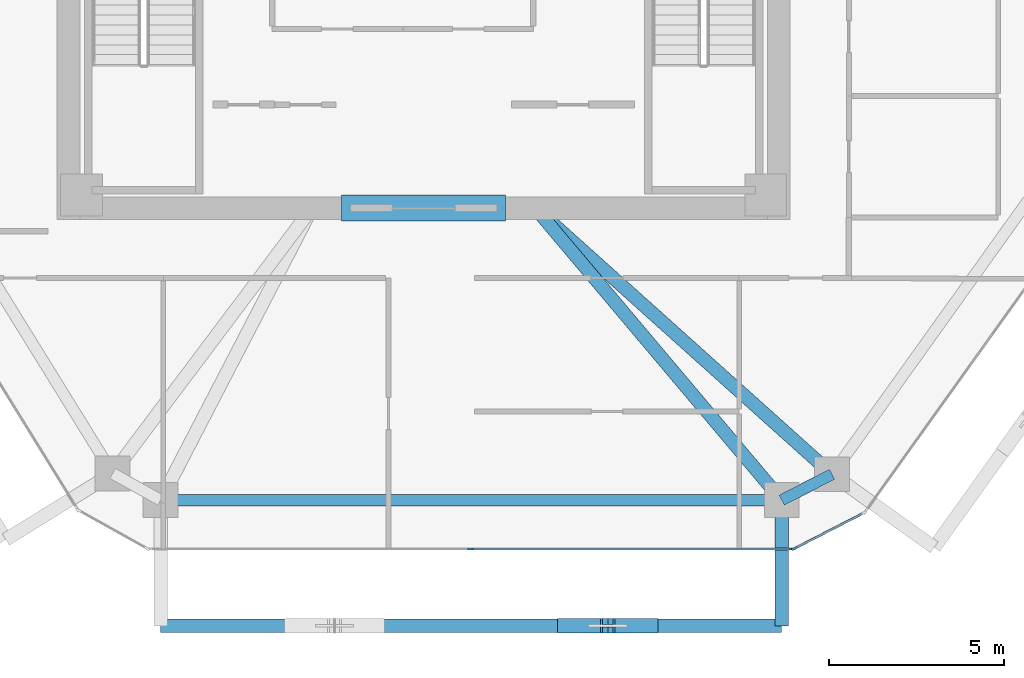
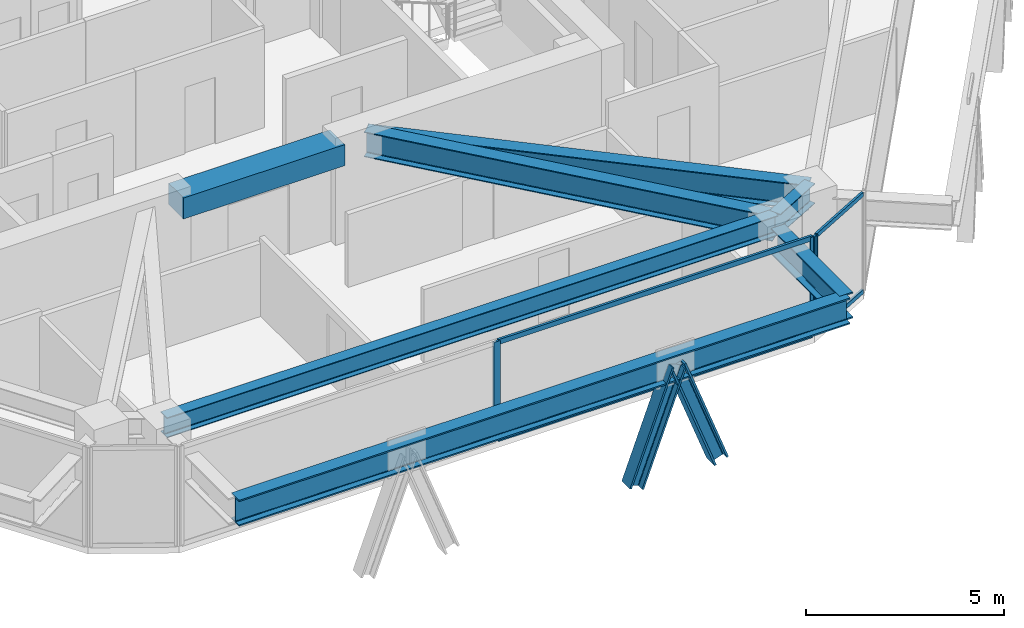
# One storey, part 3 of 14: 9 members, 7 beams, 2 elements without a shape of their own.
"""IFC4 building model written with IfcOpenShell, lengths in metres."""

from ifc_helpers import new_model, si_unit, direction, frame, origin, origin_2d, place, context, subcontext, project, spatial, rectangle, i_section, extrude, source, transform, mapped, material, layer, layer_set, material_profile, profile_set, type_object, type_shapes, element, aggregate, save


model = new_model("IFC4")

# Units and contexts
model_context = context("Model", 3, precision=1e-05, world=origin(), true_north=direction((0.0, 1.0)))
body_context = subcontext(model_context, "Body", "Model", "MODEL_VIEW")
ifc_project = project(units=[si_unit("LENGTHUNIT", "METRE"), si_unit("AREAUNIT", "SQUARE_METRE"), si_unit("VOLUMEUNIT", "CUBIC_METRE"), si_unit("PLANEANGLEUNIT", "RADIAN"), si_unit("MASSUNIT", "GRAM", prefix="KILO")], contexts=[model_context])

# Site, building, storey
site_placement = place(None, origin())
site = spatial("IfcSite", under=ifc_project, at=site_placement, CompositionType="ELEMENT")
building_placement = place(site_placement, origin())
building = spatial("IfcBuilding", under=site, at=building_placement, Name="Durnholm Broadcast Tower", CompositionType="ELEMENT")
storey_placement = place(building_placement, frame((0.0, 0.0, 193.60009765625)))
storey = spatial("IfcBuildingStorey", under=building, at=storey_placement, Name="L53", CompositionType="ELEMENT", Elevation=193.60009765625)

# Beams
ifc_material_1 = material(Name="Concrete C70/85", Category="concrete")
ifc_material_profile_1 = material_profile(ifc_material_1, rectangle(XDim=0.75, YDim=0.64990234375, at=origin_2d()), Name="RC750X650")
ifc_profile_set_1 = profile_set([ifc_material_profile_1], Name="Concrete C70/85")
beam_type_1 = type_object("IfcBeamType", Name="BM-CB-RC650", PredefinedType="LINTEL", material=ifc_profile_set_1)
shared_shape_1 = source(origin(), body_context, "Body", "SweptSolid", [
    extrude(rectangle(XDim=0.75, YDim=0.64990234375, at=origin_2d()), origin(), (0.0, 0.0, 1.0), 4.7001953125),
])
type_shapes(beam_type_1, [shared_shape_1])
beam_1_placement = place(storey_placement, frame((-2.35009765625, -8.175048828125, 2.72998046875), z_axis=(1.0, 0.0, 0.0), x_axis=(0.0, 1.0, 0.0)))
element("IfcBeam", 1, at=beam_1_placement, inside=storey, type_object=beam_type_1, Name="L53 south core coupling lintel beam CB-S", PredefinedType="LINTEL", context=body_context, shape_type="MappedRepresentation", body=[
    mapped(shared_shape_1, transform((0.0, 0.0, 0.0), x_axis=(1.0, 0.0, 0.0), y_axis=(0.0, 1.0, 0.0), z_axis=(0.0, 0.0, 1.0), scale=1.0)),
])
ifc_material_2 = material(Name="Steel ASTM A992 Grade 50", Category="steel")
ifc_material_profile_2 = material_profile(ifc_material_2, i_section(OverallWidth=0.385009765625, OverallDepth=0.802978515625, WebThickness=0.023681640625, FlangeThickness=0.0419921875, FilletRadius=0.032958984375, at=origin_2d()), Name="W30X261")
ifc_profile_set_2 = profile_set([ifc_material_profile_2], Name="Steel ASTM A992 Grade 50")
beam_type_2 = type_object("IfcBeamType", Name="BM-EXO-TIE", PredefinedType="USERDEFINED", material=ifc_profile_set_2)
shared_shape_2 = source(origin(), body_context, "Body", "SweptSolid", [
    extrude(i_section(OverallWidth=0.385009765625, OverallDepth=0.802978515625, WebThickness=0.023681640625, FlangeThickness=0.0419921875, FilletRadius=0.032958984375, at=origin_2d()), origin(), (0.0, 0.0, 1.0), 3.4560546875),
])
beam_2_placement = place(storey_placement, frame((10.256591796875, -16.68603515625, 2.308349609375), z_axis=(0.0, -1.0, 0.0), x_axis=(1.0, 0.0, 0.0)))
element("IfcBeam", 2, at=beam_2_placement, inside=storey, type_object=beam_type_2, Name="L53 exoskeleton stand-off tie bracket F1.2", ObjectType="GIRDER", PredefinedType="USERDEFINED", context=body_context, shape_type="MappedRepresentation", body=[
    mapped(shared_shape_2, transform((0.0, 0.0, 0.0), x_axis=(1.0, 0.0, 0.0), y_axis=(0.0, 1.0, 0.0), z_axis=(0.0, 0.0, 1.0), scale=1.0)),
])
ifc_material_profile_3 = material_profile(ifc_material_2, i_section(OverallWidth=0.3251953125, OverallDepth=0.6162109375, WebThickness=0.013916015625, FlangeThickness=0.021484375, FilletRadius=0.02783203125, at=origin_2d()), Name="W24X117")
ifc_profile_set_3 = profile_set([ifc_material_profile_3], Name="Steel ASTM A992 Grade 50")
beam_type_3 = type_object("IfcBeamType", Name="STL-SP-W24X117", PredefinedType="SPANDREL", material=ifc_profile_set_3)
shared_shape_3 = source(origin(), body_context, "Body", "SweptSolid", [
    extrude(i_section(OverallWidth=0.3251953125, OverallDepth=0.6162109375, WebThickness=0.013916015625, FlangeThickness=0.021484375, FilletRadius=0.02783203125, at=origin_2d()), origin(), (0.0, 0.0, 1.0), 1.62255859375),
])
beam_3_placement = place(storey_placement, frame((11.69970703125, -15.80029296875, 2.73681640625), z_axis=(-0.889406668864, -0.45711680934, 0.0), x_axis=(0.45711680934, -0.889406668864, 0.0)))
element("IfcBeam", 3, at=beam_3_placement, inside=storey, type_object=beam_type_3, Name="L53 perimeter spandrel girder 10", PredefinedType="SPANDREL", context=body_context, shape_type="MappedRepresentation", body=[
    mapped(shared_shape_3, transform((0.0, 0.0, 0.0), x_axis=(1.0, 0.0, 0.0), y_axis=(0.0, 1.0, 0.0), z_axis=(0.0, 0.0, 1.0), scale=1.0)),
])
shared_shape_4 = source(origin(), body_context, "Body", "SweptSolid", [
    extrude(i_section(OverallWidth=0.3251953125, OverallDepth=0.6162109375, WebThickness=0.013916015625, FlangeThickness=0.021484375, FilletRadius=0.02783203125, at=origin_2d()), origin(), (0.0, 0.0, 1.0), 17.796142578125),
])
type_shapes(beam_type_3, [shared_shape_3, shared_shape_4])
beam_4_placement = place(storey_placement, frame((10.256591796875, -16.5419921875, 2.73681640625), z_axis=(-1.0, 0.0, 0.0), x_axis=(0.0, -1.0, 0.0)))
element("IfcBeam", 4, at=beam_4_placement, inside=storey, type_object=beam_type_3, Name="L53 perimeter spandrel girder 11", PredefinedType="SPANDREL", context=body_context, shape_type="MappedRepresentation", body=[
    mapped(shared_shape_4, transform((0.0, 0.0, 0.0), x_axis=(1.0, 0.0, 0.0), y_axis=(0.0, 1.0, 0.0), z_axis=(0.0, 0.0, 1.0), scale=1.0)),
])
shared_shape_5 = source(origin(), body_context, "Body", "SweptSolid", [
    extrude(i_section(OverallWidth=0.385009765625, OverallDepth=0.802978515625, WebThickness=0.023681640625, FlangeThickness=0.0419921875, FilletRadius=0.032958984375, at=origin_2d()), origin(), (0.0, 0.0, 1.0), 17.796142578125),
])
type_shapes(beam_type_2, [shared_shape_2, shared_shape_5])
beam_5_placement = place(storey_placement, frame((-7.53955078125, -20.14208984375, 2.308349609375), z_axis=(1.0, 0.0, 0.0), x_axis=(0.0, 1.0, 0.0)))
element("IfcBeam", 5, at=beam_5_placement, inside=storey, type_object=beam_type_2, Name="L53 exoskeleton collector spandrel F1", PredefinedType="SPANDREL", context=body_context, shape_type="MappedRepresentation", body=[
    mapped(shared_shape_5, transform((0.0, 0.0, 0.0), x_axis=(1.0, 0.0, 0.0), y_axis=(0.0, 1.0, 0.0), z_axis=(0.0, 0.0, 1.0), scale=1.0)),
])
ifc_material_profile_4 = material_profile(ifc_material_2, i_section(OverallWidth=0.380615234375, OverallDepth=0.773193359375, WebThickness=0.0166015625, FlangeThickness=0.027099609375, FilletRadius=0.032958984375, at=origin_2d()), Name="W30X173")
ifc_profile_set_4 = profile_set([ifc_material_profile_4], Name="Steel ASTM A992 Grade 50")
beam_type_4 = type_object("IfcBeamType", Name="STL-GR-W30X173", PredefinedType="USERDEFINED", material=ifc_profile_set_4)
shared_shape_6 = source(origin(), body_context, "Body", "SweptSolid", [
    extrude(i_section(OverallWidth=0.380615234375, OverallDepth=0.773193359375, WebThickness=0.0166015625, FlangeThickness=0.027099609375, FilletRadius=0.032958984375, at=origin_2d()), origin(), (0.0, 0.0, 1.0), 11.4189453125),
])
beam_6_placement = place(storey_placement, frame((3.199951171875, -8.175048828125, 2.658203125), z_axis=(0.744361631918, -0.667776729849, 0.0), x_axis=(0.667776729849, 0.744361631918, 0.0)))
element("IfcBeam", 6, at=beam_6_placement, inside=storey, type_object=beam_type_4, Name="L53 radial primary floor girder 10", ObjectType="GIRDER", PredefinedType="USERDEFINED", context=body_context, shape_type="MappedRepresentation", body=[
    mapped(shared_shape_6, transform((0.0, 0.0, 0.0), x_axis=(1.0, 0.0, 0.0), y_axis=(0.0, 1.0, 0.0), z_axis=(0.0, 0.0, 1.0), scale=1.0)),
])
shared_shape_7 = source(origin(), body_context, "Body", "SweptSolid", [
    extrude(i_section(OverallWidth=0.380615234375, OverallDepth=0.773193359375, WebThickness=0.0166015625, FlangeThickness=0.027099609375, FilletRadius=0.032958984375, at=origin_2d()), origin(), (0.0, 0.0, 1.0), 10.9453125),
])
type_shapes(beam_type_4, [shared_shape_6, shared_shape_7])
beam_7_placement = place(storey_placement, frame((3.199951171875, -8.175048828125, 2.658203125), z_axis=(0.644712536066, -0.764425108065, 0.0), x_axis=(0.764425108065, 0.644712536066, 0.0)))
element("IfcBeam", 7, at=beam_7_placement, inside=storey, type_object=beam_type_4, Name="L53 radial primary floor girder 11", ObjectType="GIRDER", PredefinedType="USERDEFINED", context=body_context, shape_type="MappedRepresentation", body=[
    mapped(shared_shape_7, transform((0.0, 0.0, 0.0), x_axis=(1.0, 0.0, 0.0), y_axis=(0.0, 1.0, 0.0), z_axis=(0.0, 0.0, 1.0), scale=1.0)),
])

# Members
ifc_material_3 = material(Name="Steel ASTM A913 Grade 65", Category="steel")
ifc_material_profile_5 = material_profile(ifc_material_3, i_section(OverallWidth=0.412109375, OverallDepth=0.434814453125, WebThickness=0.035888671875, FlangeThickness=0.057373046875, FilletRadius=0.030517578125, at=origin_2d()), Name="W14X311")
ifc_profile_set_5 = profile_set([ifc_material_profile_5], Name="Steel ASTM A913 Grade 65")
member_type_1 = type_object("IfcMemberType", Name="STL-DG-W14X311", PredefinedType="BRACE", material=ifc_profile_set_5)
shared_shape_8 = source(origin(), body_context, "Body", "SweptSolid", [
    extrude(i_section(OverallWidth=0.412109375, OverallDepth=0.434814453125, WebThickness=0.035888671875, FlangeThickness=0.057373046875, FilletRadius=0.030517578125, at=origin_2d()), origin(), (0.0, 0.0, 1.0), 3.52294921875),
])
type_shapes(member_type_1, [shared_shape_8])
for number, where, z_axis, x_axis, name in (
    (8, (4.039794921875, -20.14208984375, -0.991455078125), (0.350242321485, 0.0, 0.93665912489), (0.0, 1.0, 0.0), "L53 stand-off diagrid brace F1.D2.1"),
    (9, (6.507568359375, -20.14208984375, -0.991455078125), (-0.350242321485, 0.0, 0.93665912489), (0.0, -1.0, 0.0), "L53 stand-off diagrid brace F1.D2.2"),
):
    element("IfcMember", number, at=place(storey_placement, frame(where, z_axis=z_axis, x_axis=x_axis)), inside=storey, type_object=member_type_1, Name=name, PredefinedType="BRACE", context=body_context, shape_type="MappedRepresentation", body=[
        mapped(shared_shape_8, transform((0.0, 0.0, 0.0), x_axis=(1.0, 0.0, 0.0), y_axis=(0.0, 1.0, 0.0), z_axis=(0.0, 0.0, 1.0), scale=1.0)),
    ])

# Curtain wall, members
ifc_material_4 = material(Name="Aluminium and Solar Control IGU", Category="aluminium")
ifc_layer_1 = layer(ifc_material_4, 0.1650390625)
ifc_layer_set_1 = layer_set([ifc_layer_1], Name="Aluminium and Solar Control IGU")
curtain_wall_type_1 = type_object("IfcCurtainWallType", Name="CW-SYS-5", PredefinedType="NOTDEFINED", material=ifc_layer_set_1)
curtain_wall_1_placement = place(storey_placement, origin())
curtain_wall_1 = element("IfcCurtainWall", 10, at=curtain_wall_1_placement, inside=storey, type_object=curtain_wall_type_1, Name="L53 curtain wall CW-CORNER CW-L53-CRN-09", PredefinedType="NOTDEFINED")
ifc_material_5 = material(Name="Aluminium 6063-T6", Category="aluminium")
ifc_material_profile_6 = material_profile(ifc_material_5, rectangle(XDim=0.06494140625, YDim=0.1650390625, at=origin_2d()), Name="CWM65X165")
ifc_profile_set_6 = profile_set([ifc_material_profile_6], Name="Aluminium 6063-T6")
member_type_2 = type_object("IfcMemberType", Name="CW-SYS-5-MUL", PredefinedType="MULLION", material=ifc_profile_set_6)
shared_shape_9 = source(origin(), body_context, "Body", "SweptSolid", [
    extrude(rectangle(XDim=0.06494140625, YDim=0.1650390625, at=origin_2d()), origin(), (0.0, 0.0, 1.0), 3.059814453125),
])
type_shapes(member_type_2, [shared_shape_9])
member_1_placement = place(storey_placement, frame((10.624267578125, -17.92724609375, 0.0), z_axis=(0.0, 0.0, 1.0), x_axis=(0.457081764476, -0.889424679545, 0.0)))
member_1 = element("IfcMember", 11, at=member_1_placement, type_object=member_type_2, Name="CW-CORNER mullion 2", PredefinedType="MULLION", context=body_context, shape_type="MappedRepresentation", body=[
    mapped(shared_shape_9, transform((0.0, 0.0, 0.0), x_axis=(1.0, 0.0, 0.0), y_axis=(0.0, 1.0, 0.0), z_axis=(0.0, 0.0, 1.0), scale=1.0)),
])
ifc_material_profile_7 = material_profile(ifc_material_5, rectangle(XDim=0.06494140625, YDim=0.1298828125, at=origin_2d()), Name="CWT65X130")
ifc_profile_set_7 = profile_set([ifc_material_profile_7], Name="Aluminium 6063-T6")
member_type_3 = type_object("IfcMemberType", Name="CW-SYS-5-TRN", PredefinedType="USERDEFINED", material=ifc_profile_set_7)
shared_shape_10 = source(origin(), body_context, "Body", "SweptSolid", [
    extrude(rectangle(XDim=0.06494140625, YDim=0.1298828125, at=origin_2d()), origin(), (0.0, 0.0, 1.0), 2.170166015625),
])
type_shapes(member_type_3, [shared_shape_10])
member_2_placement = place(storey_placement, frame((12.583251953125, -16.92041015625, 0.032470703125), z_axis=(-0.889422414772, -0.457086171417, 0.0), x_axis=(0.457086171417, -0.889422414772, 0.0)))
member_2 = element("IfcMember", 12, at=member_2_placement, type_object=member_type_3, Name="CW-CORNER transom 1.1", ObjectType="TRANSOM", PredefinedType="USERDEFINED", context=body_context, shape_type="MappedRepresentation", body=[
    mapped(shared_shape_10, transform((0.0, 0.0, 0.0), x_axis=(1.0, 0.0, 0.0), y_axis=(0.0, 1.0, 0.0), z_axis=(0.0, 0.0, 1.0), scale=1.0)),
])
member_3_placement = place(storey_placement, frame((12.583251953125, -16.92041015625, 3.02734375), z_axis=(-0.889422414772, -0.457086171417, 0.0), x_axis=(0.457086171417, -0.889422414772, 0.0)))
member_3 = element("IfcMember", 13, at=member_3_placement, type_object=member_type_3, Name="CW-CORNER transom 1.2", ObjectType="TRANSOM", PredefinedType="USERDEFINED", context=body_context, shape_type="MappedRepresentation", body=[
    mapped(shared_shape_10, transform((0.0, 0.0, 0.0), x_axis=(1.0, 0.0, 0.0), y_axis=(0.0, 1.0, 0.0), z_axis=(0.0, 0.0, 1.0), scale=1.0)),
])
aggregate(curtain_wall_1, [member_1, member_2, member_3])

ifc_layer_2 = layer(ifc_material_4, 0.18994140625)
ifc_layer_set_2 = layer_set([ifc_layer_2], Name="Aluminium and Solar Control IGU")
curtain_wall_type_2 = type_object("IfcCurtainWallType", Name="CW-SYS-4", PredefinedType="NOTDEFINED", material=ifc_layer_set_2)
curtain_wall_2_placement = place(storey_placement, origin())
curtain_wall_2 = element("IfcCurtainWall", 14, at=curtain_wall_2_placement, inside=storey, type_object=curtain_wall_type_2, Name="L53 curtain wall CW-Z34-VIS CW-L53-F10", PredefinedType="NOTDEFINED")
ifc_material_profile_8 = material_profile(ifc_material_5, rectangle(XDim=0.070068359375, YDim=0.14990234375, at=origin_2d()), Name="CWT70X150")
ifc_profile_set_8 = profile_set([ifc_material_profile_8], Name="Aluminium 6063-T6")
member_type_4 = type_object("IfcMemberType", Name="CW-SYS-4-TRN", PredefinedType="USERDEFINED", material=ifc_profile_set_8)
shared_shape_11 = source(origin(), body_context, "Body", "SweptSolid", [
    extrude(rectangle(XDim=0.070068359375, YDim=0.14990234375, at=origin_2d()), origin(), (0.0, 0.0, 1.0), 9.14453125),
])
type_shapes(member_type_4, [shared_shape_11])
member_4_placement = place(storey_placement, frame((10.525390625, -17.94189453125, 0.034912109375), z_axis=(-1.0, 0.0, 0.0), x_axis=(0.0, -1.0, 0.0)))
member_4 = element("IfcMember", 15, at=member_4_placement, type_object=member_type_4, Name="CW-Z34-VIS transom 1.1", ObjectType="TRANSOM", PredefinedType="USERDEFINED", context=body_context, shape_type="MappedRepresentation", body=[
    mapped(shared_shape_11, transform((0.0, 0.0, 0.0), x_axis=(1.0, 0.0, 0.0), y_axis=(0.0, 1.0, 0.0), z_axis=(0.0, 0.0, 1.0), scale=1.0)),
])
member_5_placement = place(storey_placement, frame((10.525390625, -17.94189453125, 3.02490234375), z_axis=(-1.0, 0.0, 0.0), x_axis=(0.0, -1.0, 0.0)))
member_5 = element("IfcMember", 16, at=member_5_placement, type_object=member_type_4, Name="CW-Z34-VIS transom 1.2", ObjectType="TRANSOM", PredefinedType="USERDEFINED", context=body_context, shape_type="MappedRepresentation", body=[
    mapped(shared_shape_11, transform((0.0, 0.0, 0.0), x_axis=(1.0, 0.0, 0.0), y_axis=(0.0, 1.0, 0.0), z_axis=(0.0, 0.0, 1.0), scale=1.0)),
])
ifc_material_profile_9 = material_profile(ifc_material_5, rectangle(XDim=0.070068359375, YDim=0.18994140625, at=origin_2d()), Name="CWM70X190")
ifc_profile_set_9 = profile_set([ifc_material_profile_9], Name="Aluminium 6063-T6")
member_type_5 = type_object("IfcMemberType", Name="CW-SYS-4-MUL", PredefinedType="MULLION", material=ifc_profile_set_9)
shared_shape_12 = source(origin(), body_context, "Body", "SweptSolid", [
    extrude(rectangle(XDim=0.070068359375, YDim=0.18994140625, at=origin_2d()), origin(), (0.0, 0.0, 1.0), 3.059814453125),
])
type_shapes(member_type_5, [shared_shape_12])
member_6_placement = place(storey_placement, frame((10.560302734375, -17.94189453125, 0.0), z_axis=(0.0, 0.0, 1.0), x_axis=(0.0, -1.0, 0.0)))
member_6 = element("IfcMember", 17, at=member_6_placement, type_object=member_type_5, Name="CW-Z34-VIS mullion 1", PredefinedType="MULLION", context=body_context, shape_type="MappedRepresentation", body=[
    mapped(shared_shape_12, transform((0.0, 0.0, 0.0), x_axis=(1.0, 0.0, 0.0), y_axis=(0.0, 1.0, 0.0), z_axis=(0.0, 0.0, 1.0), scale=1.0)),
])
member_7_placement = place(storey_placement, frame((1.345947265625, -17.94189453125, 0.0), z_axis=(0.0, 0.0, 1.0), x_axis=(0.0, -1.0, 0.0)))
member_7 = element("IfcMember", 18, at=member_7_placement, type_object=member_type_5, Name="CW-Z34-VIS mullion 2", PredefinedType="MULLION", context=body_context, shape_type="MappedRepresentation", body=[
    mapped(shared_shape_12, transform((0.0, 0.0, 0.0), x_axis=(1.0, 0.0, 0.0), y_axis=(0.0, 1.0, 0.0), z_axis=(0.0, 0.0, 1.0), scale=1.0)),
])
aggregate(curtain_wall_2, [member_6, member_7, member_4, member_5])

save(model, "model.ifc")
